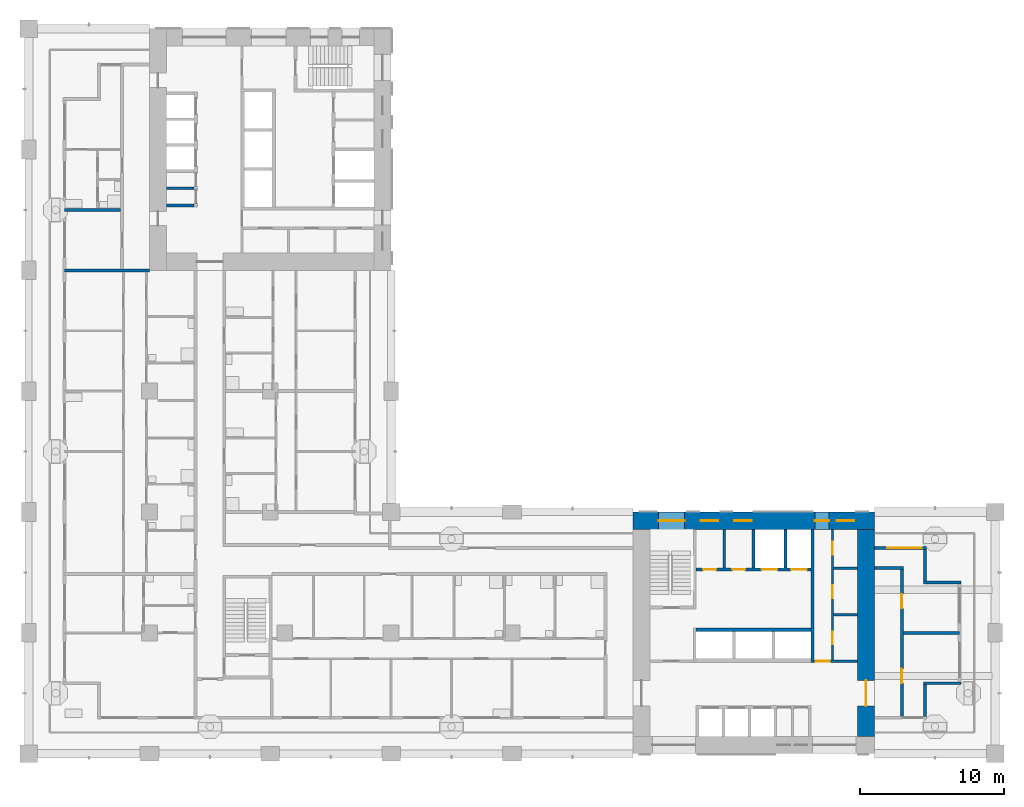
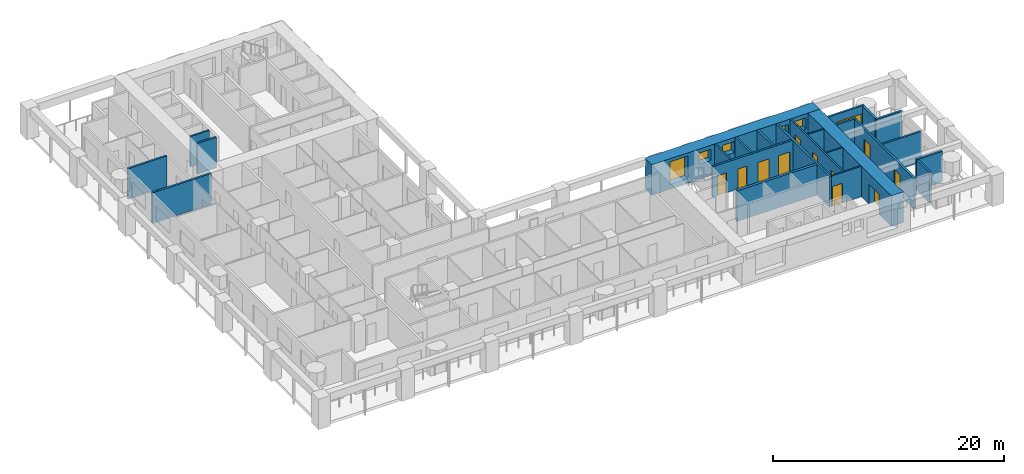
# One storey, part 6 of 19: 24 walls, 11 doors, 6 windows, 17 openings.
"""IFC4 building model written with IfcOpenShell, lengths in metres."""

from ifc_helpers import new_model, si_unit, direction, frame, frame_2d, origin, place, context, subcontext, project, spatial, rectangle, extrude, material, layer, layer_set, type_object, element, fill, save


model = new_model("IFC4")

# Units and contexts
model_context = context("Model", 3, precision=1e-05, world=origin(), true_north=direction((0.0, 1.0)))
body_context = subcontext(model_context, "Body", "Model", "MODEL_VIEW")
ifc_project = project(units=[si_unit("LENGTHUNIT", "METRE"), si_unit("AREAUNIT", "SQUARE_METRE"), si_unit("VOLUMEUNIT", "CUBIC_METRE"), si_unit("PLANEANGLEUNIT", "RADIAN"), si_unit("MASSUNIT", "GRAM", prefix="KILO")], contexts=[model_context])

# Site, building, storey
site_placement = place(None, origin())
site = spatial("IfcSite", under=ifc_project, at=site_placement, CompositionType="ELEMENT")
building_placement = place(site_placement, origin())
building = spatial("IfcBuilding", under=site, at=building_placement, Name="Vermilion Gate Residences", CompositionType="ELEMENT")
storey_placement = place(building_placement, frame((0.0, 0.0, 119.699951171875)))
storey = spatial("IfcBuildingStorey", under=building, at=storey_placement, Name="L30", CompositionType="ELEMENT", Elevation=119.699951171875)

# Wall
ifc_material_1 = material(Name="Masonry blockwork", Category="masonry")
ifc_layer_1 = layer(ifc_material_1, 0.14990234375)
ifc_layer_set_1 = layer_set([ifc_layer_1], Name="BLOCKWORK PARTITION 150 EI 120")
wall_type_1 = type_object("IfcWallType", Name="BLOCKWORK PARTITION 150 EI 120", PredefinedType="PARTITIONING", material=ifc_layer_set_1)
wall_1_placement = place(storey_placement, frame((48.35009765625, 21.300048828125, 0.0), z_axis=(0.0, 0.0, 1.0), x_axis=(0.0, 1.0, 0.0)))
element("IfcWall", 1, at=wall_1_placement, inside=storey, type_object=wall_type_1, Name="Core room partition A30-NR-P0", PredefinedType="PARTITIONING", context=body_context, shape_type="SweptSolid", body=[
    extrude(rectangle(XDim=2.699951171875, YDim=0.14990234375, at=frame_2d((1.35009765625, 0.0))), origin(), (0.0, 0.0, 1.0), 3.219970703125),
])

# Wall, opening, door
wall_2_placement = place(storey_placement, frame((54.60009765625, 14.824951171875, 0.0), z_axis=(0.0, 0.0, 1.0), x_axis=(1.0, 0.0, 0.0)))
wall_2 = element("IfcWall", 2, at=wall_2_placement, inside=storey, type_object=wall_type_1, Name="Core room partition A30-ES-S", PredefinedType="PARTITIONING", context=body_context, shape_type="SweptSolid", body=[
    extrude(rectangle(XDim=3.0, YDim=0.14990234375, at=frame_2d((1.5, 0.0))), origin(), (0.0, 0.0, 1.0), 3.219970703125),
])
opening_1_placement = place(wall_2_placement, frame((0.10009765625, 0.0, 0.0)))
opening_1 = element("IfcOpeningElement", 3, at=opening_1_placement, cuts=wall_2, Name="Opening DK30014", PredefinedType="OPENING", context=body_context, shape_type="SweptSolid", body=[
    extrude(rectangle(XDim=1.0, YDim=2.10009765625, at=frame_2d((0.5, 1.050048828125))), frame((0.0, 0.0849609375, 0.0), z_axis=(0.0, -1.0, 0.0), x_axis=(1.0, 0.0, 0.0)), (0.0, 0.0, 1.0), 0.169921875),
])
ifc_material_2 = material(Name="Steel", Category="steel")
door_type_1 = type_object("IfcDoorType", Name="FIRE DOOR FD60 1000 X 2100", OperationType="SINGLE_SWING_LEFT", PredefinedType="DOOR", material=ifc_material_2)
door_1_placement = place(opening_1_placement, frame((1.0, 0.0, 0.0), z_axis=(0.0, 0.0, 1.0), x_axis=(-1.0, 0.0, 0.0)))
door_1 = element("IfcDoor", 4, at=door_1_placement, inside=storey, type_object=door_type_1, Name="Service corridor door A30", OperationType="SINGLE_SWING_LEFT", OverallHeight=2.10009765625, OverallWidth=1.0, PredefinedType="DOOR", context=body_context, shape_type="SweptSolid", body=[
    extrude(rectangle(XDim=1.0, YDim=2.10009765625, at=frame_2d((0.5, 1.050048828125))), frame((0.0, 0.02490234375, 0.0), z_axis=(0.0, -1.0, 0.0), x_axis=(1.0, 0.0, 0.0)), (0.0, 0.0, 1.0), 0.050048828125),
])
fill(opening_1, door_1)

# Walls
for number, where, z_axis, x_axis, name in (
    (5, (55.949951171875, 18.054931640625, 0.0), (0.0, 0.0, 1.0), (1.0, 0.0, 0.0), "Core room partition A30-ES-P0"),
    (6, (55.949951171875, 21.284912109375, 0.0), (0.0, 0.0, 1.0), (1.0, 0.0, 0.0), "Core room partition A30-ES-P1"),
):
    element("IfcWall", number, at=place(storey_placement, frame(where, z_axis=z_axis, x_axis=x_axis)), inside=storey, type_object=wall_type_1, Name=name, PredefinedType="PARTITIONING", context=body_context, shape_type="SweptSolid", body=[
        extrude(rectangle(XDim=1.650146484375, YDim=0.14990234375, at=frame_2d((0.8251953125, 0.0))), origin(), (0.0, 0.0, 1.0), 3.219970703125),
    ])

# Wall, openings, doors
wall_3_placement = place(storey_placement, frame((55.875, 14.89990234375, 0.0), z_axis=(0.0, 0.0, 1.0), x_axis=(0.0, 1.0, 0.0)))
wall_3 = element("IfcWall", 7, at=wall_3_placement, inside=storey, type_object=wall_type_1, Name="Core room partition A30-ES-W", PredefinedType="PARTITIONING", context=body_context, shape_type="SweptSolid", body=[
    extrude(rectangle(XDim=9.10009765625, YDim=0.14990234375, at=frame_2d((4.550048828125, 0.0))), origin(), (0.0, 0.0, 1.0), 3.219970703125),
])
opening_2_placement = place(wall_3_placement, frame((1.090087890625, 0.0, 0.0)))
opening_2 = element("IfcOpeningElement", 8, at=opening_2_placement, cuts=wall_3, Name="Opening DK30015", PredefinedType="OPENING", context=body_context, shape_type="SweptSolid", body=[
    extrude(rectangle(XDim=0.89990234375, YDim=2.10009765625, at=frame_2d((0.449951171875, 1.050048828125))), frame((0.0, 0.0849609375, 0.0), z_axis=(0.0, -1.0, 0.0), x_axis=(1.0, 0.0, 0.0)), (0.0, 0.0, 1.0), 0.169921875),
])
opening_3_placement = place(wall_3_placement, frame((4.320068359375, 0.0, 0.0)))
opening_3 = element("IfcOpeningElement", 9, at=opening_3_placement, cuts=wall_3, Name="Opening DK30016", PredefinedType="OPENING", context=body_context, shape_type="SweptSolid", body=[
    extrude(rectangle(XDim=0.89990234375, YDim=2.10009765625, at=frame_2d((0.449951171875, 1.050048828125))), frame((0.0, 0.0849609375, 0.0), z_axis=(0.0, -1.0, 0.0), x_axis=(1.0, 0.0, 0.0)), (0.0, 0.0, 1.0), 0.169921875),
])
opening_4_placement = place(wall_3_placement, frame((7.330078125, 0.0, 0.0)))
opening_4 = element("IfcOpeningElement", 10, at=opening_4_placement, cuts=wall_3, Name="Opening DK30017", PredefinedType="OPENING", context=body_context, shape_type="SweptSolid", body=[
    extrude(rectangle(XDim=0.89990234375, YDim=2.10009765625, at=frame_2d((0.449951171875, 1.050048828125))), frame((0.0, 0.0849609375, 0.0), z_axis=(0.0, -1.0, 0.0), x_axis=(1.0, 0.0, 0.0)), (0.0, 0.0, 1.0), 0.169921875),
])
ifc_material_3 = material(Name="Steel", Category="steel")
door_type_2 = type_object("IfcDoorType", Name="SERVICE ROOM DOOR FD60 900 X 2100", OperationType="SINGLE_SWING_LEFT", PredefinedType="DOOR", material=ifc_material_3)
door_2_placement = place(opening_2_placement, frame((0.89990234375, 0.0, 0.0), z_axis=(0.0, 0.0, 1.0), x_axis=(-1.0, 0.0, 0.0)))
door_2 = element("IfcDoor", 11, at=door_2_placement, inside=storey, type_object=door_type_2, Name="Parcel room A30", OperationType="SINGLE_SWING_LEFT", OverallHeight=2.10009765625, OverallWidth=0.89990234375, PredefinedType="DOOR", context=body_context, shape_type="SweptSolid", body=[
    extrude(rectangle(XDim=0.89990234375, YDim=2.10009765625, at=frame_2d((0.449951171875, 1.050048828125))), frame((0.0, 0.02490234375, 0.0), z_axis=(0.0, -1.0, 0.0), x_axis=(1.0, 0.0, 0.0)), (0.0, 0.0, 1.0), 0.050048828125),
])
fill(opening_2, door_2)
door_3_placement = place(opening_3_placement, frame((0.89990234375, 0.0, 0.0), z_axis=(0.0, 0.0, 1.0), x_axis=(-1.0, 0.0, 0.0)))
door_3 = element("IfcDoor", 12, at=door_3_placement, inside=storey, type_object=door_type_2, Name="Cleaner's store A30", OperationType="SINGLE_SWING_RIGHT", OverallHeight=2.10009765625, OverallWidth=0.89990234375, PredefinedType="DOOR", context=body_context, shape_type="SweptSolid", body=[
    extrude(rectangle(XDim=0.89990234375, YDim=2.10009765625, at=frame_2d((0.449951171875, 1.050048828125))), frame((0.0, 0.02490234375, 0.0), z_axis=(0.0, -1.0, 0.0), x_axis=(1.0, 0.0, 0.0)), (0.0, 0.0, 1.0), 0.050048828125),
])
fill(opening_3, door_3)
door_4_placement = place(opening_4_placement, frame((0.89990234375, 0.0, 0.0), z_axis=(0.0, 0.0, 1.0), x_axis=(-1.0, 0.0, 0.0)))
door_4 = element("IfcDoor", 13, at=door_4_placement, inside=storey, type_object=door_type_2, Name="Electrical room A30", OperationType="SINGLE_SWING_LEFT", OverallHeight=2.10009765625, OverallWidth=0.89990234375, PredefinedType="DOOR", context=body_context, shape_type="SweptSolid", body=[
    extrude(rectangle(XDim=0.89990234375, YDim=2.10009765625, at=frame_2d((0.449951171875, 1.050048828125))), frame((0.0, 0.02490234375, 0.0), z_axis=(0.0, -1.0, 0.0), x_axis=(1.0, 0.0, 0.0)), (0.0, 0.0, 1.0), 0.050048828125),
])
fill(opening_4, door_4)

# Walls
wall_4_placement = place(storey_placement, frame((9.60009765625, 47.699951171875, 0.0), z_axis=(0.0, 0.0, 1.0), x_axis=(1.0, 0.0, 0.0)))
element("IfcWall", 14, at=wall_4_placement, inside=storey, type_object=wall_type_1, Name="Core room partition B30-SR-P0", PredefinedType="PARTITIONING", context=body_context, shape_type="SweptSolid", body=[
    extrude(rectangle(XDim=1.89990234375, YDim=0.14990234375, at=frame_2d((0.949951171875, 0.0))), origin(), (0.0, 0.0, 1.0), 3.219970703125),
])
ifc_material_4 = material(Name="Insulated steel stud wall with terracotta rainscreen", Category="masonry")
ifc_layer_2 = layer(ifc_material_4, 0.199951171875)
ifc_layer_set_2 = layer_set([ifc_layer_2], Name="EXTERNAL WALL 200 TERRACOTTA RAINSCREEN")
wall_type_2 = type_object("IfcWallType", Name="EXTERNAL WALL 200 TERRACOTTA RAINSCREEN", PredefinedType="SOLIDWALL", material=ifc_layer_set_2)
wall_5_placement = place(storey_placement, frame((62.300048828125, 11.0, 0.0), z_axis=(0.0, 0.0, 1.0), x_axis=(0.0, 1.0, 0.0)))
element("IfcWall", 15, at=wall_5_placement, inside=storey, type_object=wall_type_2, Name="External wall", PredefinedType="SOLIDWALL", context=body_context, shape_type="SweptSolid", body=[
    extrude(rectangle(XDim=2.199951171875, YDim=0.199951171875, at=frame_2d((1.10009765625, 0.0))), origin(), (0.0, 0.0, 1.0), 3.219970703125),
])
for number, where, z_axis, x_axis, name in (
    (16, (62.199951171875, 13.300048828125, 0.0), (0.0, 0.0, 1.0), (1.0, 0.0, 0.0), "External wall"),
    (17, (64.800048828125, 20.300048828125, 0.0), (0.0, 0.0, 1.0), (-1.0, 0.0, 0.0), "External wall"),
):
    element("IfcWall", number, at=place(storey_placement, frame(where, z_axis=z_axis, x_axis=x_axis)), inside=storey, type_object=wall_type_2, Name=name, PredefinedType="SOLIDWALL", context=body_context, shape_type="SweptSolid", body=[
        extrude(rectangle(XDim=2.60009765625, YDim=0.199951171875, at=frame_2d((1.300048828125, 0.0))), origin(), (0.0, 0.0, 1.0), 3.219970703125),
    ])
wall_6_placement = place(storey_placement, frame((62.300048828125, 20.39990234375, 0.0), z_axis=(0.0, 0.0, 1.0), x_axis=(0.0, 1.0, 0.0)))
element("IfcWall", 18, at=wall_6_placement, inside=storey, type_object=wall_type_2, Name="External wall", PredefinedType="SOLIDWALL", context=body_context, shape_type="SweptSolid", body=[
    extrude(rectangle(XDim=2.2001953125, YDim=0.199951171875, at=frame_2d((1.10009765625, 0.0))), origin(), (0.0, 0.0, 1.0), 3.219970703125),
])

# Wall, opening, window
wall_7_placement = place(storey_placement, frame((62.39990234375, 22.699951171875, 0.0), z_axis=(0.0, 0.0, 1.0), x_axis=(-1.0, 0.0, 0.0)))
wall_7 = element("IfcWall", 19, at=wall_7_placement, inside=storey, type_object=wall_type_2, Name="External wall", PredefinedType="SOLIDWALL", context=body_context, shape_type="SweptSolid", body=[
    extrude(rectangle(XDim=3.599853515625, YDim=0.199951171875, at=frame_2d((1.7998046875, 0.0))), origin(), (0.0, 0.0, 1.0), 3.219970703125),
])
opening_5_placement = place(wall_7_placement, frame((0.300048828125, 0.0, 0.89990234375)))
opening_5 = element("IfcOpeningElement", 20, at=opening_5_placement, cuts=wall_7, Name="Opening WE30023", PredefinedType="OPENING", context=body_context, shape_type="SweptSolid", body=[
    extrude(rectangle(XDim=2.39990234375, YDim=1.5, at=frame_2d((1.199951171875, 0.75))), frame((0.0, 0.10986328125, 0.0), z_axis=(0.0, -1.0, 0.0), x_axis=(1.0, 0.0, 0.0)), (0.0, 0.0, 1.0), 0.219970703125),
])
ifc_material_5 = material(Name="Aluminium and clear glass", Category="aluminium")
window_type_1 = type_object("IfcWindowType", Name="WINDOW 2400 X 1500", PartitioningType="SINGLE_PANEL", PredefinedType="WINDOW", material=ifc_material_5)
window_1_placement = place(opening_5_placement, origin())
window_1 = element("IfcWindow", 21, at=window_1_placement, inside=storey, type_object=window_type_1, Name="Window", OverallHeight=1.5, OverallWidth=2.39990234375, PartitioningType="SINGLE_PANEL", PredefinedType="WINDOW", context=body_context, shape_type="SweptSolid", body=[
    extrude(rectangle(XDim=2.39990234375, YDim=1.5, at=frame_2d((1.199951171875, 0.75))), frame((0.0, 0.030029296875, 0.0), z_axis=(0.0, -1.0, 0.0), x_axis=(1.0, 0.0, 0.0)), (0.0, 0.0, 1.0), 0.06005859375),
])
fill(opening_5, window_1)

# Walls
ifc_material_6 = material(Name="Fire-rated plasterboard on steel studs", Category="steel")
ifc_layer_3 = layer(ifc_material_6, 0.199951171875)
ifc_layer_set_3 = layer_set([ifc_layer_3], Name="PARTY WALL 200 EI 120")
wall_type_3 = type_object("IfcWallType", Name="PARTY WALL 200 EI 120", PredefinedType="PARTITIONING", material=ifc_layer_set_3)
wall_8_placement = place(storey_placement, frame((60.800048828125, 16.800048828125, 0.0), z_axis=(0.0, 0.0, 1.0), x_axis=(1.0, 0.0, 0.0)))
element("IfcWall", 22, at=wall_8_placement, inside=storey, type_object=wall_type_3, Name="Party and corridor wall", PredefinedType="PARTITIONING", context=body_context, shape_type="SweptSolid", body=[
    extrude(rectangle(XDim=3.89990234375, YDim=0.199951171875, at=frame_2d((1.949951171875, 0.0))), origin(), (0.0, 0.0, 1.0), 3.219970703125),
])
wall_9_placement = place(storey_placement, frame((58.800048828125, 21.300048828125, 0.0), z_axis=(0.0, 0.0, 1.0), x_axis=(1.0, 0.0, 0.0)))
element("IfcWall", 23, at=wall_9_placement, inside=storey, type_object=wall_type_3, Name="Party and corridor wall", PredefinedType="PARTITIONING", context=body_context, shape_type="SweptSolid", body=[
    extrude(rectangle(XDim=2.0, YDim=0.199951171875, at=frame_2d((1.0, 0.0))), origin(), (0.0, 0.0, 1.0), 3.219970703125),
])
wall_10_placement = place(storey_placement, frame((2.5, 42.0, 0.0), z_axis=(0.0, 0.0, 1.0), x_axis=(1.0, 0.0, 0.0)))
element("IfcWall", 24, at=wall_10_placement, inside=storey, type_object=wall_type_3, Name="Party and corridor wall", PredefinedType="PARTITIONING", context=body_context, shape_type="SweptSolid", body=[
    extrude(rectangle(XDim=5.89990234375, YDim=0.199951171875, at=frame_2d((2.949951171875, 0.0))), origin(), (0.0, 0.0, 1.0), 3.219970703125),
])
wall_11_placement = place(storey_placement, frame((2.5, 46.199951171875, 0.0), z_axis=(0.0, 0.0, 1.0), x_axis=(1.0, 0.0, 0.0)))
element("IfcWall", 25, at=wall_11_placement, inside=storey, type_object=wall_type_3, Name="Party and corridor wall", PredefinedType="PARTITIONING", context=body_context, shape_type="SweptSolid", body=[
    extrude(rectangle(XDim=3.89990234375, YDim=0.199951171875, at=frame_2d((1.949951171875, 0.0))), origin(), (0.0, 0.0, 1.0), 3.219970703125),
])

# Wall, openings, doors
wall_12_placement = place(storey_placement, frame((60.699951171875, 10.89990234375, 0.0), z_axis=(0.0, 0.0, 1.0), x_axis=(0.0, 1.0, 0.0)))
wall_12 = element("IfcWall", 26, at=wall_12_placement, inside=storey, type_object=wall_type_3, Name="Party and corridor wall", PredefinedType="PARTITIONING", context=body_context, shape_type="SweptSolid", body=[
    extrude(rectangle(XDim=10.300048828125, YDim=0.199951171875, at=frame_2d((5.14990234375, 0.0))), origin(), (0.0, 0.0, 1.0), 3.219970703125),
])
opening_6_placement = place(wall_12_placement, frame((2.39990234375, 0.0, 0.0)))
opening_6 = element("IfcOpeningElement", 27, at=opening_6_placement, cuts=wall_12, Name="Opening DA30051", PredefinedType="OPENING", context=body_context, shape_type="SweptSolid", body=[
    extrude(rectangle(XDim=1.0, YDim=2.10009765625, at=frame_2d((0.5, 1.050048828125))), frame((0.0, 0.10986328125, 0.0), z_axis=(0.0, -1.0, 0.0), x_axis=(1.0, 0.0, 0.0)), (0.0, 0.0, 1.0), 0.219970703125),
])
opening_7_placement = place(wall_12_placement, frame((7.60009765625, 0.0, 0.0)))
opening_7 = element("IfcOpeningElement", 28, at=opening_7_placement, cuts=wall_12, Name="Opening DA30052", PredefinedType="OPENING", context=body_context, shape_type="SweptSolid", body=[
    extrude(rectangle(XDim=1.0, YDim=2.10009765625, at=frame_2d((0.5, 1.050048828125))), frame((0.0, 0.10986328125, 0.0), z_axis=(0.0, -1.0, 0.0), x_axis=(1.0, 0.0, 0.0)), (0.0, 0.0, 1.0), 0.219970703125),
])
ifc_material_7 = material(Name="Steel", Category="steel")
door_type_3 = type_object("IfcDoorType", Name="ENTRANCE DOOR 1000 X 2100 FD30", OperationType="SINGLE_SWING_LEFT", PredefinedType="DOOR", material=ifc_material_7)
door_5_placement = place(opening_6_placement, frame((1.0, 0.0, 0.0), z_axis=(0.0, 0.0, 1.0), x_axis=(-1.0, 0.0, 0.0)))
door_5 = element("IfcDoor", 29, at=door_5_placement, inside=storey, type_object=door_type_3, Name="Entrance door", OperationType="SINGLE_SWING_RIGHT", OverallHeight=2.10009765625, OverallWidth=1.0, PredefinedType="DOOR", context=body_context, shape_type="SweptSolid", body=[
    extrude(rectangle(XDim=1.0, YDim=2.10009765625, at=frame_2d((0.5, 1.050048828125))), frame((0.0, 0.02490234375, 0.0), z_axis=(0.0, -1.0, 0.0), x_axis=(1.0, 0.0, 0.0)), (0.0, 0.0, 1.0), 0.050048828125),
])
fill(opening_6, door_5)
door_6_placement = place(opening_7_placement, frame((1.0, 0.0, 0.0), z_axis=(0.0, 0.0, 1.0), x_axis=(-1.0, 0.0, 0.0)))
door_6 = element("IfcDoor", 30, at=door_6_placement, inside=storey, type_object=door_type_3, Name="Entrance door", OperationType="SINGLE_SWING_RIGHT", OverallHeight=2.10009765625, OverallWidth=1.0, PredefinedType="DOOR", context=body_context, shape_type="SweptSolid", body=[
    extrude(rectangle(XDim=1.0, YDim=2.10009765625, at=frame_2d((0.5, 1.050048828125))), frame((0.0, 0.02490234375, 0.0), z_axis=(0.0, -1.0, 0.0), x_axis=(1.0, 0.0, 0.0)), (0.0, 0.0, 1.0), 0.050048828125),
])
fill(opening_7, door_6)

# Walls
ifc_material_8 = material(Name="Concrete C60", Category="concrete")
ifc_layer_4 = layer(ifc_material_8, 0.199951171875)
ifc_layer_set_4 = layer_set([ifc_layer_4], Name="RC CORE INTERNAL WALL 200 C60")
wall_type_4 = type_object("IfcWallType", Name="RC CORE INTERNAL WALL 200 C60", PredefinedType="SHEAR", material=ifc_layer_set_4)
for number, where, z_axis, x_axis, name in (
    (31, (50.39990234375, 21.300048828125, 0.0), (0.0, 0.0, 1.0), (0.0, 1.0, 0.0), "Core internal wall A30-FF-D0"),
    (32, (52.60009765625, 21.300048828125, 0.0), (0.0, 0.0, 1.0), (0.0, 1.0, 0.0), "Core internal wall A30-FF-D1"),
):
    element("IfcWall", number, at=place(storey_placement, frame(where, z_axis=z_axis, x_axis=x_axis)), inside=storey, type_object=wall_type_4, Name=name, PredefinedType="SHEAR", context=body_context, shape_type="SweptSolid", body=[
        extrude(rectangle(XDim=2.699951171875, YDim=0.199951171875, at=frame_2d((1.35009765625, 0.0))), origin(), (0.0, 0.0, 1.0), 3.219970703125),
    ])

# Wall, openings, doors
wall_13_placement = place(storey_placement, frame((46.39990234375, 21.199951171875, 0.0), z_axis=(0.0, 0.0, 1.0), x_axis=(1.0, 0.0, 0.0)))
wall_13 = element("IfcWall", 33, at=wall_13_placement, inside=storey, type_object=wall_type_4, Name="Core internal wall A30-FF-F", PredefinedType="SHEAR", context=body_context, shape_type="SweptSolid", body=[
    extrude(rectangle(XDim=8.0, YDim=0.199951171875, at=frame_2d((4.0, 0.0))), origin(), (0.0, 0.0, 1.0), 3.219970703125),
])
opening_8_placement = place(wall_13_placement, frame((0.487548828125, 0.0, 0.0)))
opening_8 = element("IfcOpeningElement", 34, at=opening_8_placement, cuts=wall_13, Name="Opening DK30008", PredefinedType="OPENING", context=body_context, shape_type="SweptSolid", body=[
    extrude(rectangle(XDim=0.89990234375, YDim=2.10009765625, at=frame_2d((0.449951171875, 1.050048828125))), frame((0.0, 0.10986328125, 0.0), z_axis=(0.0, -1.0, 0.0), x_axis=(1.0, 0.0, 0.0)), (0.0, 0.0, 1.0), 0.219970703125),
])
opening_9_placement = place(wall_13_placement, frame((2.512451171875, 0.0, 0.0)))
opening_9 = element("IfcOpeningElement", 35, at=opening_9_placement, cuts=wall_13, Name="Opening DK30009", PredefinedType="OPENING", context=body_context, shape_type="SweptSolid", body=[
    extrude(rectangle(XDim=0.89990234375, YDim=2.10009765625, at=frame_2d((0.449951171875, 1.050048828125))), frame((0.0, 0.10986328125, 0.0), z_axis=(0.0, -1.0, 0.0), x_axis=(1.0, 0.0, 0.0)), (0.0, 0.0, 1.0), 0.219970703125),
])
opening_10_placement = place(wall_13_placement, frame((4.550048828125, 0.0, 0.0)))
opening_10 = element("IfcOpeningElement", 36, at=opening_10_placement, cuts=wall_13, Name="Opening LD", PredefinedType="OPENING", context=body_context, shape_type="SweptSolid", body=[
    extrude(rectangle(XDim=1.10009765625, YDim=2.10009765625, at=frame_2d((0.550048828125, 1.050048828125))), frame((0.0, 0.10986328125, 0.0), z_axis=(0.0, -1.0, 0.0), x_axis=(1.0, 0.0, 0.0)), (0.0, 0.0, 1.0), 0.219970703125),
])
opening_11_placement = place(wall_13_placement, frame((6.60009765625, 0.0, 0.0)))
opening_11 = element("IfcOpeningElement", 37, at=opening_11_placement, cuts=wall_13, Name="Opening LD", PredefinedType="OPENING", context=body_context, shape_type="SweptSolid", body=[
    extrude(rectangle(XDim=1.10009765625, YDim=2.10009765625, at=frame_2d((0.550048828125, 1.050048828125))), frame((0.0, 0.10986328125, 0.0), z_axis=(0.0, -1.0, 0.0), x_axis=(1.0, 0.0, 0.0)), (0.0, 0.0, 1.0), 0.219970703125),
])
ifc_material_9 = material(Name="Stainless steel", Category="steel")
door_type_4 = type_object("IfcDoorType", Name="LIFT LANDING DOOR E60 1100 X 2100", OperationType="DOUBLE_DOOR_SLIDING", PredefinedType="DOOR", material=ifc_material_9)
door_7_placement = place(opening_10_placement, origin())
door_7 = element("IfcDoor", 38, at=door_7_placement, inside=storey, type_object=door_type_4, Name="Lift landing door LFA1", OperationType="DOUBLE_DOOR_SLIDING", OverallHeight=2.10009765625, OverallWidth=1.10009765625, PredefinedType="DOOR", context=body_context, shape_type="SweptSolid", body=[
    extrude(rectangle(XDim=1.10009765625, YDim=2.10009765625, at=frame_2d((0.550048828125, 1.050048828125))), frame((0.0, 0.02490234375, 0.0), z_axis=(0.0, -1.0, 0.0), x_axis=(1.0, 0.0, 0.0)), (0.0, 0.0, 1.0), 0.050048828125),
])
fill(opening_10, door_7)
door_8_placement = place(opening_11_placement, origin())
door_8 = element("IfcDoor", 39, at=door_8_placement, inside=storey, type_object=door_type_4, Name="Lift landing door LCA1", OperationType="DOUBLE_DOOR_SLIDING", OverallHeight=2.10009765625, OverallWidth=1.10009765625, PredefinedType="DOOR", context=body_context, shape_type="SweptSolid", body=[
    extrude(rectangle(XDim=1.10009765625, YDim=2.10009765625, at=frame_2d((0.550048828125, 1.050048828125))), frame((0.0, 0.02490234375, 0.0), z_axis=(0.0, -1.0, 0.0), x_axis=(1.0, 0.0, 0.0)), (0.0, 0.0, 1.0), 0.050048828125),
])
fill(opening_11, door_8)
door_9_placement = place(opening_8_placement, origin())
door_9 = element("IfcDoor", 40, at=door_9_placement, inside=storey, type_object=door_type_2, Name="Communications riser A30", OperationType="SINGLE_SWING_LEFT", OverallHeight=2.10009765625, OverallWidth=0.89990234375, PredefinedType="DOOR", context=body_context, shape_type="SweptSolid", body=[
    extrude(rectangle(XDim=0.89990234375, YDim=2.10009765625, at=frame_2d((0.449951171875, 1.050048828125))), frame((0.0, 0.02490234375, 0.0), z_axis=(0.0, -1.0, 0.0), x_axis=(1.0, 0.0, 0.0)), (0.0, 0.0, 1.0), 0.050048828125),
])
fill(opening_8, door_9)
door_10_placement = place(opening_9_placement, origin())
door_10 = element("IfcDoor", 41, at=door_10_placement, inside=storey, type_object=door_type_2, Name="Refuse room A30", OperationType="SINGLE_SWING_LEFT", OverallHeight=2.10009765625, OverallWidth=0.89990234375, PredefinedType="DOOR", context=body_context, shape_type="SweptSolid", body=[
    extrude(rectangle(XDim=0.89990234375, YDim=2.10009765625, at=frame_2d((0.449951171875, 1.050048828125))), frame((0.0, 0.02490234375, 0.0), z_axis=(0.0, -1.0, 0.0), x_axis=(1.0, 0.0, 0.0)), (0.0, 0.0, 1.0), 0.050048828125),
])
fill(opening_9, door_10)

# Walls
wall_14_placement = place(storey_placement, frame((54.5, 14.75, 0.0), z_axis=(0.0, 0.0, 1.0), x_axis=(0.0, 1.0, 0.0)))
element("IfcWall", 42, at=wall_14_placement, inside=storey, type_object=wall_type_4, Name="Core internal wall A30-EDIV", PredefinedType="SHEAR", context=body_context, shape_type="SweptSolid", body=[
    extrude(rectangle(XDim=9.25, YDim=0.199951171875, at=frame_2d((4.625, 0.0))), origin(), (0.0, 0.0, 1.0), 3.219970703125),
])
wall_15_placement = place(storey_placement, frame((9.60009765625, 46.5, 0.0), z_axis=(0.0, 0.0, 1.0), x_axis=(1.0, 0.0, 0.0)))
element("IfcWall", 43, at=wall_15_placement, inside=storey, type_object=wall_type_4, Name="Core internal wall B30-LR-DE", PredefinedType="SHEAR", context=body_context, shape_type="SweptSolid", body=[
    extrude(rectangle(XDim=1.89990234375, YDim=0.199951171875, at=frame_2d((0.949951171875, 0.0))), origin(), (0.0, 0.0, 1.0), 3.219970703125),
])

# Wall, opening, door
ifc_material_10 = material(Name="Concrete C70", Category="concrete")
ifc_layer_5 = layer(ifc_material_10, 1.199951171875)
ifc_layer_set_5 = layer_set([ifc_layer_5], Name="RC CORE WALL 1200 C70")
wall_type_5 = type_object("IfcWallType", Name="RC CORE WALL 1200 C70", PredefinedType="SHEAR", material=ifc_layer_set_5)
wall_16_placement = place(storey_placement, frame((58.199951171875, 9.60009765625, 0.0), z_axis=(0.0, 0.0, 1.0), x_axis=(0.0, 1.0, 0.0)))
wall_16 = element("IfcWall", 44, at=wall_16_placement, inside=storey, type_object=wall_type_5, Name="Core wall A30-OUT-BK", PredefinedType="SHEAR", context=body_context, shape_type="SweptSolid", body=[
    extrude(rectangle(XDim=14.39990234375, YDim=1.199951171875, at=frame_2d((7.199951171875, 0.0))), origin(), (0.0, 0.0, 1.0), 3.219970703125),
])
opening_12_placement = place(wall_16_placement, frame((2.10009765625, 0.0, 0.0)))
opening_12 = element("IfcOpeningElement", 45, at=opening_12_placement, cuts=wall_16, Name="Opening DK30002", PredefinedType="OPENING", context=body_context, shape_type="SweptSolid", body=[
    extrude(rectangle(XDim=1.800048828125, YDim=2.10009765625, at=frame_2d((0.89990234375, 1.050048828125))), frame((0.0, 0.60986328125, 0.0), z_axis=(0.0, -1.0, 0.0), x_axis=(1.0, 0.0, 0.0)), (0.0, 0.0, 1.0), 1.219970703125),
])
ifc_material_11 = material(Name="Steel", Category="steel")
door_type_5 = type_object("IfcDoorType", Name="CORE LOBBY DOOR FD60 1800 X 2100", OperationType="DOUBLE_DOOR_SINGLE_SWING", PredefinedType="DOOR", material=ifc_material_11)
door_11_placement = place(opening_12_placement, origin())
door_11 = element("IfcDoor", 46, at=door_11_placement, inside=storey, type_object=door_type_5, Name="Core lobby door A30", OperationType="DOUBLE_DOOR_SINGLE_SWING", OverallHeight=2.10009765625, OverallWidth=1.800048828125, PredefinedType="DOOR", context=body_context, shape_type="SweptSolid", body=[
    extrude(rectangle(XDim=1.800048828125, YDim=2.10009765625, at=frame_2d((0.89990234375, 1.050048828125))), frame((0.0, 0.02490234375, 0.0), z_axis=(0.0, -1.0, 0.0), x_axis=(1.0, 0.0, 0.0)), (0.0, 0.0, 1.0), 0.050048828125),
])
fill(opening_12, door_11)

# Wall, openings, windows
ifc_material_12 = material(Name="Concrete C70 red-oxide pigmented", Category="concrete")
ifc_layer_6 = layer(ifc_material_12, 1.199951171875)
ifc_layer_set_6 = layer_set([ifc_layer_6], Name="RC CORE WALL 1200 C70 RED OXIDE")
wall_type_6 = type_object("IfcWallType", Name="RC CORE WALL 1200 C70 RED OXIDE", PredefinedType="SHEAR", material=ifc_layer_set_6)
wall_17_placement = place(storey_placement, frame((42.0, 24.60009765625, 0.0), z_axis=(0.0, 0.0, 1.0), x_axis=(1.0, 0.0, 0.0)))
wall_17 = element("IfcWall", 47, at=wall_17_placement, inside=storey, type_object=wall_type_6, Name="Core wall A30-OUT-B1", PredefinedType="SHEAR", context=body_context, shape_type="SweptSolid", body=[
    extrude(rectangle(XDim=16.800048828125, YDim=1.199951171875, at=frame_2d((8.39990234375, 0.0))), origin(), (0.0, 0.0, 1.0), 3.219970703125),
])
opening_13_placement = place(wall_17_placement, frame((1.800048828125, 0.0, 0.5)))
opening_13 = element("IfcOpeningElement", 48, at=opening_13_placement, cuts=wall_17, Name="Opening WKA3005", PredefinedType="OPENING", context=body_context, shape_type="SweptSolid", body=[
    extrude(rectangle(XDim=1.800048828125, YDim=2.39990234375, at=frame_2d((0.89990234375, 1.199951171875))), frame((0.0, 0.60986328125, 0.0), z_axis=(0.0, -1.0, 0.0), x_axis=(1.0, 0.0, 0.0)), (0.0, 0.0, 1.0), 1.219970703125),
])
opening_14_placement = place(wall_17_placement, frame((4.737548828125, 0.0, 1.60009765625)))
opening_14 = element("IfcOpeningElement", 49, at=opening_14_placement, cuts=wall_17, Name="Opening WKA3006", PredefinedType="OPENING", context=body_context, shape_type="SweptSolid", body=[
    extrude(rectangle(XDim=1.199951171875, YDim=1.199951171875, at=frame_2d((0.60009765625, 0.60009765625))), frame((0.0, 0.60986328125, 0.0), z_axis=(0.0, -1.0, 0.0), x_axis=(1.0, 0.0, 0.0)), (0.0, 0.0, 1.0), 1.219970703125),
])
opening_15_placement = place(wall_17_placement, frame((7.050048828125, 0.0, 1.60009765625)))
opening_15 = element("IfcOpeningElement", 50, at=opening_15_placement, cuts=wall_17, Name="Opening WKA3007", PredefinedType="OPENING", context=body_context, shape_type="SweptSolid", body=[
    extrude(rectangle(XDim=1.199951171875, YDim=1.199951171875, at=frame_2d((0.60009765625, 0.60009765625))), frame((0.0, 0.60986328125, 0.0), z_axis=(0.0, -1.0, 0.0), x_axis=(1.0, 0.0, 0.0)), (0.0, 0.0, 1.0), 1.219970703125),
])
opening_16_placement = place(wall_17_placement, frame((12.64990234375, 0.0, 0.60009765625)))
opening_16 = element("IfcOpeningElement", 51, at=opening_16_placement, cuts=wall_17, Name="Opening WKA3008", PredefinedType="OPENING", context=body_context, shape_type="SweptSolid", body=[
    extrude(rectangle(XDim=1.0, YDim=2.10009765625, at=frame_2d((0.5, 1.050048828125))), frame((0.0, 0.60986328125, 0.0), z_axis=(0.0, -1.0, 0.0), x_axis=(1.0, 0.0, 0.0)), (0.0, 0.0, 1.0), 1.219970703125),
])
opening_17_placement = place(wall_17_placement, frame((14.175048828125, 0.0, 1.60009765625)))
opening_17 = element("IfcOpeningElement", 52, at=opening_17_placement, cuts=wall_17, Name="Opening WKA3009", PredefinedType="OPENING", context=body_context, shape_type="SweptSolid", body=[
    extrude(rectangle(XDim=1.199951171875, YDim=1.199951171875, at=frame_2d((0.60009765625, 0.60009765625))), frame((0.0, 0.60986328125, 0.0), z_axis=(0.0, -1.0, 0.0), x_axis=(1.0, 0.0, 0.0)), (0.0, 0.0, 1.0), 1.219970703125),
])
ifc_material_13 = material(Name="Aluminium and clear glass", Category="aluminium")
window_type_2 = type_object("IfcWindowType", Name="CORE CORRIDOR WINDOW 1000 X 2100", PartitioningType="SINGLE_PANEL", PredefinedType="WINDOW", material=ifc_material_13)
window_2_placement = place(opening_16_placement, origin())
window_2 = element("IfcWindow", 53, at=window_2_placement, inside=storey, type_object=window_type_2, Name="Core corridor window", OverallHeight=2.10009765625, OverallWidth=1.0, PartitioningType="SINGLE_PANEL", PredefinedType="WINDOW", context=body_context, shape_type="SweptSolid", body=[
    extrude(rectangle(XDim=1.0, YDim=2.10009765625, at=frame_2d((0.5, 1.050048828125))), frame((0.0, 0.030029296875, 0.0), z_axis=(0.0, -1.0, 0.0), x_axis=(1.0, 0.0, 0.0)), (0.0, 0.0, 1.0), 0.06005859375),
])
fill(opening_16, window_2)
ifc_material_14 = material(Name="Aluminium frame with louvre blades", Category="aluminium")
window_type_3 = type_object("IfcWindowType", Name="CORE LOUVRE 1200 X 1200", PartitioningType="SINGLE_PANEL", PredefinedType="WINDOW", material=ifc_material_14)
window_3_placement = place(opening_14_placement, origin())
window_3 = element("IfcWindow", 54, at=window_3_placement, inside=storey, type_object=window_type_3, Name="Core louvre", OverallHeight=1.199951171875, OverallWidth=1.199951171875, PartitioningType="SINGLE_PANEL", PredefinedType="WINDOW", context=body_context, shape_type="SweptSolid", body=[
    extrude(rectangle(XDim=1.199951171875, YDim=1.199951171875, at=frame_2d((0.60009765625, 0.60009765625))), frame((0.0, 0.030029296875, 0.0), z_axis=(0.0, -1.0, 0.0), x_axis=(1.0, 0.0, 0.0)), (0.0, 0.0, 1.0), 0.06005859375),
])
fill(opening_14, window_3)
window_4_placement = place(opening_15_placement, origin())
window_4 = element("IfcWindow", 55, at=window_4_placement, inside=storey, type_object=window_type_3, Name="Core louvre", OverallHeight=1.199951171875, OverallWidth=1.199951171875, PartitioningType="SINGLE_PANEL", PredefinedType="WINDOW", context=body_context, shape_type="SweptSolid", body=[
    extrude(rectangle(XDim=1.199951171875, YDim=1.199951171875, at=frame_2d((0.60009765625, 0.60009765625))), frame((0.0, 0.030029296875, 0.0), z_axis=(0.0, -1.0, 0.0), x_axis=(1.0, 0.0, 0.0)), (0.0, 0.0, 1.0), 0.06005859375),
])
fill(opening_15, window_4)
window_5_placement = place(opening_17_placement, origin())
window_5 = element("IfcWindow", 56, at=window_5_placement, inside=storey, type_object=window_type_3, Name="Core louvre", OverallHeight=1.199951171875, OverallWidth=1.199951171875, PartitioningType="SINGLE_PANEL", PredefinedType="WINDOW", context=body_context, shape_type="SweptSolid", body=[
    extrude(rectangle(XDim=1.199951171875, YDim=1.199951171875, at=frame_2d((0.60009765625, 0.60009765625))), frame((0.0, 0.030029296875, 0.0), z_axis=(0.0, -1.0, 0.0), x_axis=(1.0, 0.0, 0.0)), (0.0, 0.0, 1.0), 0.06005859375),
])
fill(opening_17, window_5)
ifc_material_15 = material(Name="Aluminium and clear glass", Category="aluminium")
window_type_4 = type_object("IfcWindowType", Name="CORE STAIR WINDOW 1800 X 2400", PartitioningType="SINGLE_PANEL", PredefinedType="WINDOW", material=ifc_material_15)
window_6_placement = place(opening_13_placement, origin())
window_6 = element("IfcWindow", 57, at=window_6_placement, inside=storey, type_object=window_type_4, Name="Core stair window", OverallHeight=2.39990234375, OverallWidth=1.800048828125, PartitioningType="SINGLE_PANEL", PredefinedType="WINDOW", context=body_context, shape_type="SweptSolid", body=[
    extrude(rectangle(XDim=1.800048828125, YDim=2.39990234375, at=frame_2d((0.89990234375, 1.199951171875))), frame((0.0, 0.030029296875, 0.0), z_axis=(0.0, -1.0, 0.0), x_axis=(1.0, 0.0, 0.0)), (0.0, 0.0, 1.0), 0.06005859375),
])
fill(opening_13, window_6)

# Wall
ifc_material_16 = material(Name="Concrete C60", Category="concrete")
ifc_layer_7 = layer(ifc_material_16, 0.25)
ifc_layer_set_7 = layer_set([ifc_layer_7], Name="RC LIFT SHAFT WALL 250 C60")
wall_type_7 = type_object("IfcWallType", Name="RC LIFT SHAFT WALL 250 C60", PredefinedType="SHEAR", material=ifc_layer_set_7)
wall_18_placement = place(storey_placement, frame((46.39990234375, 17.02490234375, 0.0), z_axis=(0.0, 0.0, 1.0), x_axis=(1.0, 0.0, 0.0)))
element("IfcWall", 58, at=wall_18_placement, inside=storey, type_object=wall_type_7, Name="Lift shaft wall A30-HR-B", PredefinedType="SHEAR", context=body_context, shape_type="SweptSolid", body=[
    extrude(rectangle(XDim=8.0, YDim=0.25, at=frame_2d((4.0, 0.0))), origin(), (0.0, 0.0, 1.0), 3.219970703125),
])

save(model, "model.ifc")
